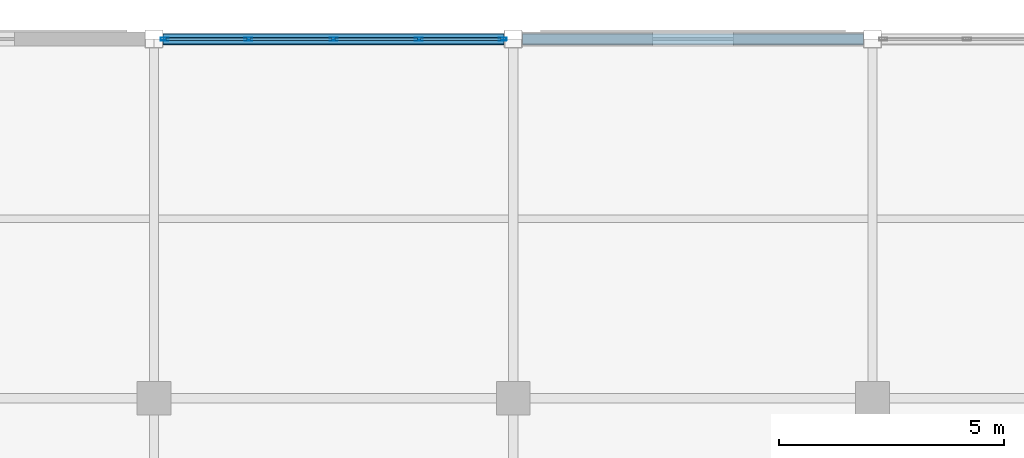
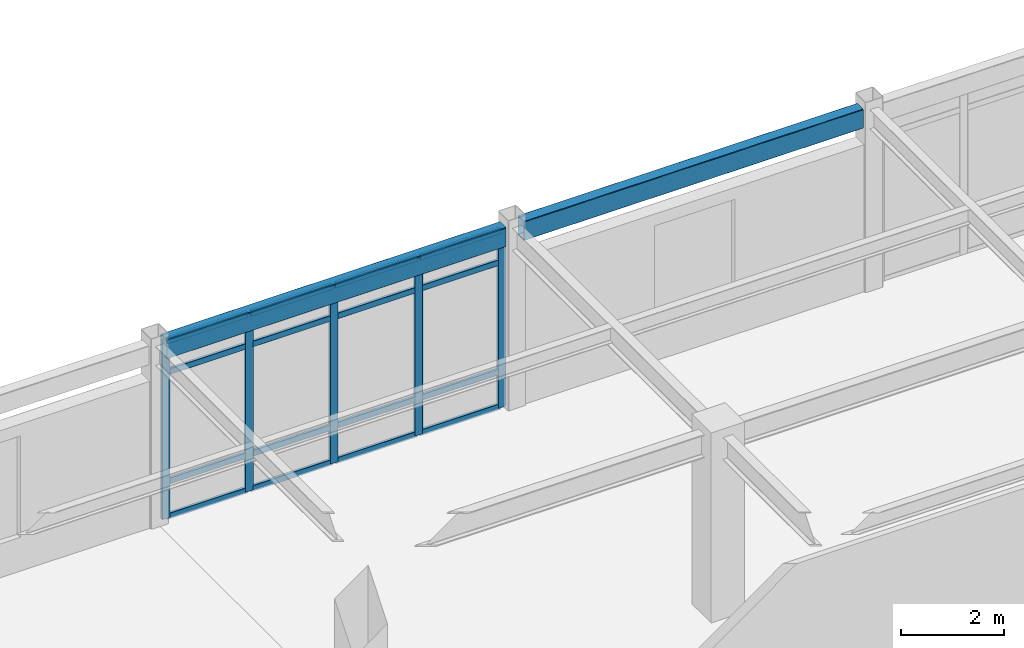
# One storey, part 65 of 111: 21 members, 2 beams, 1 element without a shape of its own.
"""IFC4 building model written with IfcOpenShell, lengths in metres."""

from ifc_helpers import new_model, si_unit, direction, frame, origin, origin_2d, place, context, subcontext, project, spatial, hollow_rectangle, extrude, material, material_profile, profile_set, type_object, element, aggregate, save


model = new_model("IFC4")

# Units and contexts
model_context = context("Model", 3, precision=1e-05, world=origin(), true_north=direction((0.0, 1.0)))
body_context = subcontext(model_context, "Body", "Model", "MODEL_VIEW")
ifc_project = project(units=[si_unit("LENGTHUNIT", "METRE"), si_unit("AREAUNIT", "SQUARE_METRE"), si_unit("VOLUMEUNIT", "CUBIC_METRE"), si_unit("PLANEANGLEUNIT", "RADIAN"), si_unit("MASSUNIT", "GRAM", prefix="KILO")], contexts=[model_context])

# Site, building, storey
site_placement = place(None, origin())
site = spatial("IfcSite", under=ifc_project, at=site_placement, CompositionType="ELEMENT")
building_placement = place(site_placement, origin())
building = spatial("IfcBuilding", under=site, at=building_placement, Name="Solmirada Galleria", CompositionType="ELEMENT")
storey_placement = place(building_placement, frame((0.0, 0.0, 10.39990234375)))
storey = spatial("IfcBuildingStorey", under=building, at=storey_placement, Name="L02", CompositionType="ELEMENT", Elevation=10.39990234375)

# Beams
ifc_material_1 = material(Name="Steel S355 / ASTM A500 Grade C", Category="steel")
ifc_material_profile_1 = material_profile(ifc_material_1, hollow_rectangle(XDim=0.25390625, YDim=0.45703125, WallThickness=0.01171875, InnerFilletRadius=0.01171875, OuterFilletRadius=0.023681640625, at=origin_2d()), Name="HSS18X10X1/2")
ifc_profile_set_1 = profile_set([ifc_material_profile_1], Name="Steel S355 / ASTM A500 Grade C")
beam_type = type_object("IfcBeamType", Name="BM-SPAND-W18", PredefinedType="SPANDREL", material=ifc_profile_set_1)
for number, where, z_axis, x_axis, name in (
    (1, (152.202880859375, 120.0, 4.071533203125), (1.0, 0.0, 0.0), (0.0, 1.0, 0.0), "Primary beam L03 X(152..160, 120)"),
    (2, (160.202880859375, 120.0, 4.071533203125), (1.0, 0.0, 0.0), (0.0, 1.0, 0.0), "Primary beam L03 X(160..168, 120)"),
):
    element("IfcBeam", number, at=place(storey_placement, frame(where, z_axis=z_axis, x_axis=x_axis)), inside=storey, type_object=beam_type, Name=name, PredefinedType="SPANDREL", context=body_context, shape_type="SweptSolid", body=[
        extrude(hollow_rectangle(XDim=0.25390625, YDim=0.45703125, WallThickness=0.01171875, InnerFilletRadius=0.01171875, OuterFilletRadius=0.023681640625, at=origin_2d()), origin(), (0.0, 0.0, 1.0), 7.59423828125),
    ])

# Curtain wall, members
ifc_material_2 = material(Name="Impact-resistant low-E double glazing", Category="glass")
curtain_wall_type = type_object("IfcCurtainWallType", Name="CW-FZ2-L02-B4-L076", PredefinedType="NOTDEFINED", material=ifc_material_2)
curtain_wall_placement = place(storey_placement, origin())
curtain_wall = element("IfcCurtainWall", 3, at=curtain_wall_placement, inside=storey, type_object=curtain_wall_type, Name="Terrace and arcade storefront CW-L02-098", PredefinedType="NOTDEFINED")
ifc_material_3 = material(Name="Anodised aluminium framing", Category="aluminium")
ifc_material_profile_2 = material_profile(ifc_material_3, hollow_rectangle(XDim=0.06494140625, YDim=0.179931640625, WallThickness=0.00390625, InnerFilletRadius=0.00390625, OuterFilletRadius=0.008056640625, at=origin_2d()), Name="ALU-MULL-180X65")
ifc_profile_set_2 = profile_set([ifc_material_profile_2], Name="Anodised aluminium framing")
member_type_1 = type_object("IfcMemberType", Name="CW-MULL-180", PredefinedType="MULLION", material=ifc_profile_set_2)
member_1_placement = place(storey_placement, frame((152.237548828125, 120.0, 0.0), z_axis=(0.0, 0.0, 1.0), x_axis=(0.0, 1.0, 0.0)))
member_1 = element("IfcMember", 4, at=member_1_placement, type_object=member_type_1, Name="CW24 mullion 1", PredefinedType="MULLION", context=body_context, shape_type="SweptSolid", body=[
    extrude(hollow_rectangle(XDim=0.06494140625, YDim=0.179931640625, WallThickness=0.00390625, InnerFilletRadius=0.00390625, OuterFilletRadius=0.008056640625, at=origin_2d()), origin(), (0.0, 0.0, 1.0), 4.22021484375),
])
member_2_placement = place(storey_placement, frame((154.1025390625, 120.0, 0.0), z_axis=(0.0, 0.0, 1.0), x_axis=(0.0, 1.0, 0.0)))
member_2 = element("IfcMember", 5, at=member_2_placement, type_object=member_type_1, Name="CW24 mullion 2", PredefinedType="MULLION", context=body_context, shape_type="SweptSolid", body=[
    extrude(hollow_rectangle(XDim=0.06494140625, YDim=0.179931640625, WallThickness=0.00390625, InnerFilletRadius=0.00390625, OuterFilletRadius=0.008056640625, at=origin_2d()), origin(), (0.0, 0.0, 1.0), 4.22021484375),
])
member_3_placement = place(storey_placement, frame((156.0, 120.0, 0.0), z_axis=(0.0, 0.0, 1.0), x_axis=(0.0, 1.0, 0.0)))
member_3 = element("IfcMember", 6, at=member_3_placement, type_object=member_type_1, Name="CW24 mullion 3", PredefinedType="MULLION", context=body_context, shape_type="SweptSolid", body=[
    extrude(hollow_rectangle(XDim=0.06494140625, YDim=0.179931640625, WallThickness=0.00390625, InnerFilletRadius=0.00390625, OuterFilletRadius=0.008056640625, at=origin_2d()), origin(), (0.0, 0.0, 1.0), 4.22021484375),
])
member_4_placement = place(storey_placement, frame((157.8974609375, 120.0, 0.0), z_axis=(0.0, 0.0, 1.0), x_axis=(0.0, 1.0, 0.0)))
member_4 = element("IfcMember", 7, at=member_4_placement, type_object=member_type_1, Name="CW24 mullion 4", PredefinedType="MULLION", context=body_context, shape_type="SweptSolid", body=[
    extrude(hollow_rectangle(XDim=0.06494140625, YDim=0.179931640625, WallThickness=0.00390625, InnerFilletRadius=0.00390625, OuterFilletRadius=0.008056640625, at=origin_2d()), origin(), (0.0, 0.0, 1.0), 4.22021484375),
])
member_5_placement = place(storey_placement, frame((159.762451171875, 120.0, 0.0), z_axis=(0.0, 0.0, 1.0), x_axis=(0.0, 1.0, 0.0)))
member_5 = element("IfcMember", 8, at=member_5_placement, type_object=member_type_1, Name="CW24 mullion 5", PredefinedType="MULLION", context=body_context, shape_type="SweptSolid", body=[
    extrude(hollow_rectangle(XDim=0.06494140625, YDim=0.179931640625, WallThickness=0.00390625, InnerFilletRadius=0.00390625, OuterFilletRadius=0.008056640625, at=origin_2d()), origin(), (0.0, 0.0, 1.0), 4.22021484375),
])
ifc_material_profile_3 = material_profile(ifc_material_3, hollow_rectangle(XDim=0.06494140625, YDim=0.139892578125, WallThickness=0.00341796875, InnerFilletRadius=0.00341796875, OuterFilletRadius=0.007080078125, at=origin_2d()), Name="ALU-TRAN-140X65")
ifc_profile_set_3 = profile_set([ifc_material_profile_3], Name="Anodised aluminium framing")
member_type_2 = type_object("IfcMemberType", Name="CW-TRAN-140", PredefinedType="USERDEFINED", material=ifc_profile_set_3)
member_6_placement = place(storey_placement, frame((152.27001953125, 120.0, 0.03271484375), z_axis=(1.0, 0.0, 0.0), x_axis=(0.0, 1.0, 0.0)))
member_6 = element("IfcMember", 9, at=member_6_placement, type_object=member_type_2, Name="CW24 transom 1.1", ObjectType="TRANSOM", PredefinedType="USERDEFINED", context=body_context, shape_type="SweptSolid", body=[
    extrude(hollow_rectangle(XDim=0.06494140625, YDim=0.139892578125, WallThickness=0.00341796875, InnerFilletRadius=0.00341796875, OuterFilletRadius=0.007080078125, at=origin_2d()), origin(), (0.0, 0.0, 1.0), 1.800048828125),
])
member_7_placement = place(storey_placement, frame((152.27001953125, 120.0, 0.860107421875), z_axis=(1.0, 0.0, 0.0), x_axis=(0.0, 1.0, 0.0)))
member_7 = element("IfcMember", 10, at=member_7_placement, type_object=member_type_2, Name="CW24 transom 1.2", ObjectType="TRANSOM", PredefinedType="USERDEFINED", context=body_context, shape_type="SweptSolid", body=[
    extrude(hollow_rectangle(XDim=0.06494140625, YDim=0.139892578125, WallThickness=0.00341796875, InnerFilletRadius=0.00341796875, OuterFilletRadius=0.007080078125, at=origin_2d()), origin(), (0.0, 0.0, 1.0), 1.800048828125),
])
member_8_placement = place(storey_placement, frame((152.27001953125, 120.0, 3.4501953125), z_axis=(1.0, 0.0, 0.0), x_axis=(0.0, 1.0, 0.0)))
member_8 = element("IfcMember", 11, at=member_8_placement, type_object=member_type_2, Name="CW24 transom 1.3", ObjectType="TRANSOM", PredefinedType="USERDEFINED", context=body_context, shape_type="SweptSolid", body=[
    extrude(hollow_rectangle(XDim=0.06494140625, YDim=0.139892578125, WallThickness=0.00341796875, InnerFilletRadius=0.00341796875, OuterFilletRadius=0.007080078125, at=origin_2d()), origin(), (0.0, 0.0, 1.0), 1.800048828125),
])
member_9_placement = place(storey_placement, frame((152.27001953125, 120.0, 4.1875), z_axis=(1.0, 0.0, 0.0), x_axis=(0.0, 1.0, 0.0)))
member_9 = element("IfcMember", 12, at=member_9_placement, type_object=member_type_2, Name="CW24 transom 1.4", ObjectType="TRANSOM", PredefinedType="USERDEFINED", context=body_context, shape_type="SweptSolid", body=[
    extrude(hollow_rectangle(XDim=0.06494140625, YDim=0.139892578125, WallThickness=0.00341796875, InnerFilletRadius=0.00341796875, OuterFilletRadius=0.007080078125, at=origin_2d()), origin(), (0.0, 0.0, 1.0), 1.800048828125),
])
member_10_placement = place(storey_placement, frame((154.135009765625, 120.0, 0.03271484375), z_axis=(1.0, 0.0, 0.0), x_axis=(0.0, 1.0, 0.0)))
member_10 = element("IfcMember", 13, at=member_10_placement, type_object=member_type_2, Name="CW24 transom 2.1", ObjectType="TRANSOM", PredefinedType="USERDEFINED", context=body_context, shape_type="SweptSolid", body=[
    extrude(hollow_rectangle(XDim=0.06494140625, YDim=0.139892578125, WallThickness=0.00341796875, InnerFilletRadius=0.00341796875, OuterFilletRadius=0.007080078125, at=origin_2d()), origin(), (0.0, 0.0, 1.0), 1.83251953125),
])
member_11_placement = place(storey_placement, frame((154.135009765625, 120.0, 0.860107421875), z_axis=(1.0, 0.0, 0.0), x_axis=(0.0, 1.0, 0.0)))
member_11 = element("IfcMember", 14, at=member_11_placement, type_object=member_type_2, Name="CW24 transom 2.2", ObjectType="TRANSOM", PredefinedType="USERDEFINED", context=body_context, shape_type="SweptSolid", body=[
    extrude(hollow_rectangle(XDim=0.06494140625, YDim=0.139892578125, WallThickness=0.00341796875, InnerFilletRadius=0.00341796875, OuterFilletRadius=0.007080078125, at=origin_2d()), origin(), (0.0, 0.0, 1.0), 1.83251953125),
])
member_12_placement = place(storey_placement, frame((154.135009765625, 120.0, 3.4501953125), z_axis=(1.0, 0.0, 0.0), x_axis=(0.0, 1.0, 0.0)))
member_12 = element("IfcMember", 15, at=member_12_placement, type_object=member_type_2, Name="CW24 transom 2.3", ObjectType="TRANSOM", PredefinedType="USERDEFINED", context=body_context, shape_type="SweptSolid", body=[
    extrude(hollow_rectangle(XDim=0.06494140625, YDim=0.139892578125, WallThickness=0.00341796875, InnerFilletRadius=0.00341796875, OuterFilletRadius=0.007080078125, at=origin_2d()), origin(), (0.0, 0.0, 1.0), 1.83251953125),
])
member_13_placement = place(storey_placement, frame((154.135009765625, 120.0, 4.1875), z_axis=(1.0, 0.0, 0.0), x_axis=(0.0, 1.0, 0.0)))
member_13 = element("IfcMember", 16, at=member_13_placement, type_object=member_type_2, Name="CW24 transom 2.4", ObjectType="TRANSOM", PredefinedType="USERDEFINED", context=body_context, shape_type="SweptSolid", body=[
    extrude(hollow_rectangle(XDim=0.06494140625, YDim=0.139892578125, WallThickness=0.00341796875, InnerFilletRadius=0.00341796875, OuterFilletRadius=0.007080078125, at=origin_2d()), origin(), (0.0, 0.0, 1.0), 1.83251953125),
])
member_14_placement = place(storey_placement, frame((156.032470703125, 120.0, 0.03271484375), z_axis=(1.0, 0.0, 0.0), x_axis=(0.0, 1.0, 0.0)))
member_14 = element("IfcMember", 17, at=member_14_placement, type_object=member_type_2, Name="CW24 transom 3.1", ObjectType="TRANSOM", PredefinedType="USERDEFINED", context=body_context, shape_type="SweptSolid", body=[
    extrude(hollow_rectangle(XDim=0.06494140625, YDim=0.139892578125, WallThickness=0.00341796875, InnerFilletRadius=0.00341796875, OuterFilletRadius=0.007080078125, at=origin_2d()), origin(), (0.0, 0.0, 1.0), 1.83251953125),
])
member_15_placement = place(storey_placement, frame((156.032470703125, 120.0, 0.860107421875), z_axis=(1.0, 0.0, 0.0), x_axis=(0.0, 1.0, 0.0)))
member_15 = element("IfcMember", 18, at=member_15_placement, type_object=member_type_2, Name="CW24 transom 3.2", ObjectType="TRANSOM", PredefinedType="USERDEFINED", context=body_context, shape_type="SweptSolid", body=[
    extrude(hollow_rectangle(XDim=0.06494140625, YDim=0.139892578125, WallThickness=0.00341796875, InnerFilletRadius=0.00341796875, OuterFilletRadius=0.007080078125, at=origin_2d()), origin(), (0.0, 0.0, 1.0), 1.83251953125),
])
member_16_placement = place(storey_placement, frame((156.032470703125, 120.0, 3.4501953125), z_axis=(1.0, 0.0, 0.0), x_axis=(0.0, 1.0, 0.0)))
member_16 = element("IfcMember", 19, at=member_16_placement, type_object=member_type_2, Name="CW24 transom 3.3", ObjectType="TRANSOM", PredefinedType="USERDEFINED", context=body_context, shape_type="SweptSolid", body=[
    extrude(hollow_rectangle(XDim=0.06494140625, YDim=0.139892578125, WallThickness=0.00341796875, InnerFilletRadius=0.00341796875, OuterFilletRadius=0.007080078125, at=origin_2d()), origin(), (0.0, 0.0, 1.0), 1.83251953125),
])
member_17_placement = place(storey_placement, frame((156.032470703125, 120.0, 4.1875), z_axis=(1.0, 0.0, 0.0), x_axis=(0.0, 1.0, 0.0)))
member_17 = element("IfcMember", 20, at=member_17_placement, type_object=member_type_2, Name="CW24 transom 3.4", ObjectType="TRANSOM", PredefinedType="USERDEFINED", context=body_context, shape_type="SweptSolid", body=[
    extrude(hollow_rectangle(XDim=0.06494140625, YDim=0.139892578125, WallThickness=0.00341796875, InnerFilletRadius=0.00341796875, OuterFilletRadius=0.007080078125, at=origin_2d()), origin(), (0.0, 0.0, 1.0), 1.83251953125),
])
member_18_placement = place(storey_placement, frame((157.929931640625, 120.0, 0.03271484375), z_axis=(1.0, 0.0, 0.0), x_axis=(0.0, 1.0, 0.0)))
member_18 = element("IfcMember", 21, at=member_18_placement, type_object=member_type_2, Name="CW24 transom 4.1", ObjectType="TRANSOM", PredefinedType="USERDEFINED", context=body_context, shape_type="SweptSolid", body=[
    extrude(hollow_rectangle(XDim=0.06494140625, YDim=0.139892578125, WallThickness=0.00341796875, InnerFilletRadius=0.00341796875, OuterFilletRadius=0.007080078125, at=origin_2d()), origin(), (0.0, 0.0, 1.0), 1.800048828125),
])
member_19_placement = place(storey_placement, frame((157.929931640625, 120.0, 0.860107421875), z_axis=(1.0, 0.0, 0.0), x_axis=(0.0, 1.0, 0.0)))
member_19 = element("IfcMember", 22, at=member_19_placement, type_object=member_type_2, Name="CW24 transom 4.2", ObjectType="TRANSOM", PredefinedType="USERDEFINED", context=body_context, shape_type="SweptSolid", body=[
    extrude(hollow_rectangle(XDim=0.06494140625, YDim=0.139892578125, WallThickness=0.00341796875, InnerFilletRadius=0.00341796875, OuterFilletRadius=0.007080078125, at=origin_2d()), origin(), (0.0, 0.0, 1.0), 1.800048828125),
])
member_20_placement = place(storey_placement, frame((157.929931640625, 120.0, 3.4501953125), z_axis=(1.0, 0.0, 0.0), x_axis=(0.0, 1.0, 0.0)))
member_20 = element("IfcMember", 23, at=member_20_placement, type_object=member_type_2, Name="CW24 transom 4.3", ObjectType="TRANSOM", PredefinedType="USERDEFINED", context=body_context, shape_type="SweptSolid", body=[
    extrude(hollow_rectangle(XDim=0.06494140625, YDim=0.139892578125, WallThickness=0.00341796875, InnerFilletRadius=0.00341796875, OuterFilletRadius=0.007080078125, at=origin_2d()), origin(), (0.0, 0.0, 1.0), 1.800048828125),
])
member_21_placement = place(storey_placement, frame((157.929931640625, 120.0, 4.1875), z_axis=(1.0, 0.0, 0.0), x_axis=(0.0, 1.0, 0.0)))
member_21 = element("IfcMember", 24, at=member_21_placement, type_object=member_type_2, Name="CW24 transom 4.4", ObjectType="TRANSOM", PredefinedType="USERDEFINED", context=body_context, shape_type="SweptSolid", body=[
    extrude(hollow_rectangle(XDim=0.06494140625, YDim=0.139892578125, WallThickness=0.00341796875, InnerFilletRadius=0.00341796875, OuterFilletRadius=0.007080078125, at=origin_2d()), origin(), (0.0, 0.0, 1.0), 1.800048828125),
])
aggregate(curtain_wall, [member_1, member_2, member_3, member_4, member_5, member_6, member_7, member_8, member_9, member_10, member_11, member_12, member_13, member_14, member_15, member_16, member_17, member_18, member_19, member_20, member_21])

save(model, "model.ifc")
